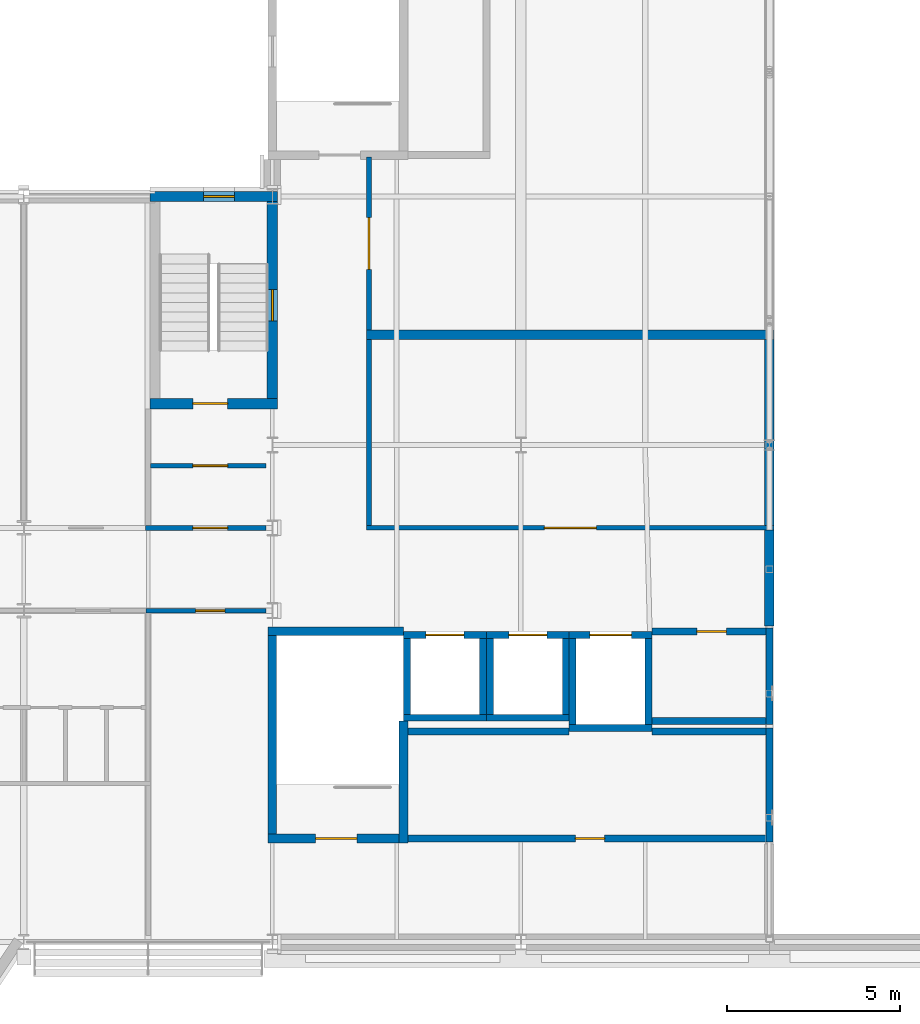
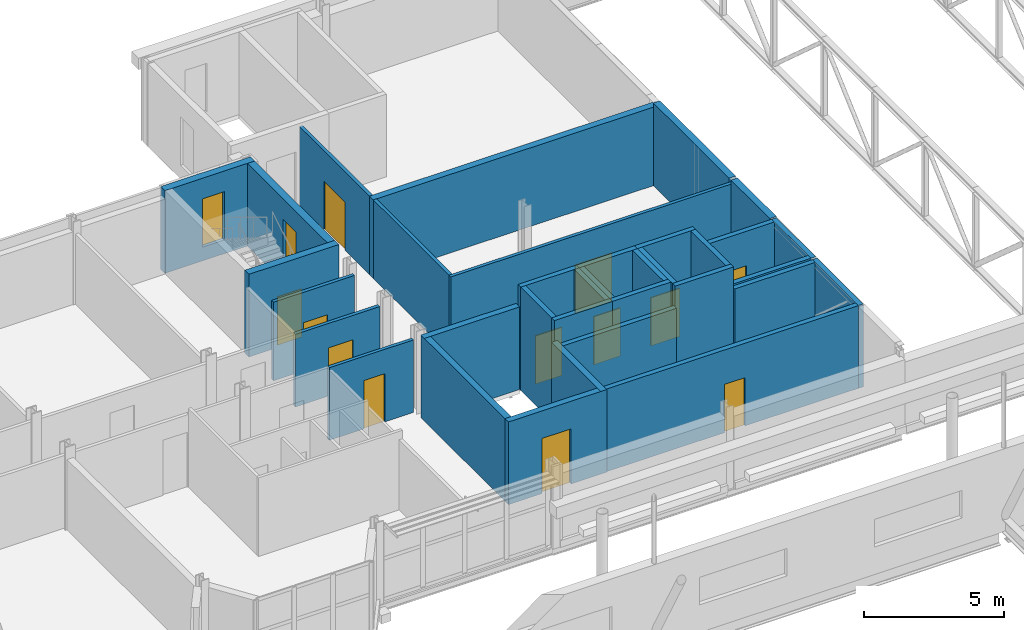
# One storey, part 103 of 142: 35 walls, 12 doors, 2 windows, 14 openings.
"""IFC4 building model written with IfcOpenShell, lengths in metres."""

import ifcopenshell
import ifcopenshell.guid

model = None  # the IFC model being written
_history = None  # IfcOwnerHistory: only IFC2X3 demands one
_inside = {}  # id of a spatial element -> (the spatial element, [elements in it])
_under = {}  # id of a project, library or spatial element -> (it, [spatial elements below it])
_declared = {}  # id of a project -> (the project, [libraries it declares])
_typed = {}  # id of a type object -> (the type object, [elements of that type])
_made_of = {}  # id of a material, layer set ... -> (it, [elements and type objects made of it])


def new_model(schema):
    """Start an empty IFC model of exactly this schema.

    Asked for "IFC4X3", IfcOpenShell would pick the latest addendum, in which some entities
    have other attributes; the version numbers below select the first issue.
    IFC2X3 requires an IfcOwnerHistory on every rooted entity: one is made here for all.
    """
    global model, _history
    if schema == "IFC4X3":
        model = ifcopenshell.file(schema_version=(4, 3, 0, 0))
    else:
        model = ifcopenshell.file(schema=schema)
    _inside.clear()
    _under.clear()
    _declared.clear()
    _typed.clear()
    _made_of.clear()
    _history = None
    if model.schema == "IFC2X3":
        org = make("IfcOrganization", Name="unknown")
        user = make(
            "IfcPersonAndOrganization",
            ThePerson=make("IfcPerson", FamilyName="unknown"),
            TheOrganization=org,
        )
        app = make(
            "IfcApplication",
            ApplicationDeveloper=org,
            Version="unknown",
            ApplicationFullName="unknown",
            ApplicationIdentifier="unknown",
        )
        _history = make(
            "IfcOwnerHistory",
            OwningUser=user,
            OwningApplication=app,
            ChangeAction="ADDED",
            CreationDate=0,
        )
    return model


def make(cls, **values):
    """One entity of the class cls with the attributes given. An attribute that is None is left unset."""
    return model.create_entity(
        cls, **{name: value for name, value in values.items() if value is not None}
    )


def rooted(cls, **values):
    """An entity with a GlobalId (a new one), such as an element, a storey or a relation."""
    return make(cls, GlobalId=ifcopenshell.guid.new(), OwnerHistory=_history, **values)


def si_unit(unit_type, name, prefix=None):
    """IfcSIUnit, for example si_unit("LENGTHUNIT", "METRE", prefix="MILLI")."""
    return make("IfcSIUnit", UnitType=unit_type, Prefix=prefix, Name=name)


def assignment(units):
    """IfcUnitAssignment: the units of a project."""
    return None if units is None else make("IfcUnitAssignment", Units=units)


def point(xyz):
    """IfcCartesianPoint."""
    return None if xyz is None else make("IfcCartesianPoint", Coordinates=xyz)


def direction(xyz):
    """IfcDirection."""
    return None if xyz is None else make("IfcDirection", DirectionRatios=xyz)


def frame(location, z_axis=None, x_axis=None):
    """IfcAxis2Placement3D, a coordinate frame: its origin and axes. An axis left out is left unset."""
    return make(
        "IfcAxis2Placement3D",
        Location=point(location),
        Axis=direction(z_axis),
        RefDirection=direction(x_axis),
    )


def frame_2d(location, x_axis=None):
    """IfcAxis2Placement2D, a coordinate frame in the plane: its origin and x axis."""
    return make(
        "IfcAxis2Placement2D", Location=point(location), RefDirection=direction(x_axis)
    )


def origin():
    """The frame at (0, 0, 0) with its axes left unset."""
    return frame((0.0, 0.0, 0.0))


def place(relative_to, where):
    """IfcLocalPlacement: puts the frame where relative to a parent placement (None: the world)."""
    return make(
        "IfcLocalPlacement", PlacementRelTo=relative_to, RelativePlacement=where
    )


def context(
    kind, dimensions, precision=None, world=None, true_north=None, identifier=None
):
    """IfcGeometricRepresentationContext, for example the 3D "Model" context."""
    return make(
        "IfcGeometricRepresentationContext",
        ContextIdentifier=identifier,
        ContextType=kind,
        CoordinateSpaceDimension=dimensions,
        Precision=precision,
        WorldCoordinateSystem=world,
        TrueNorth=true_north,
    )


def subcontext(parent, identifier, kind, view, scale=None):
    """IfcGeometricRepresentationSubContext, for example "Body" below "Model"."""
    return make(
        "IfcGeometricRepresentationSubContext",
        ContextIdentifier=identifier,
        ContextType=kind,
        ParentContext=parent,
        TargetScale=scale,
        TargetView=view,
    )


def project(units=None, contexts=None):
    """IfcProject with its units and contexts."""
    return rooted(
        "IfcProject",
        Name="project",
        RepresentationContexts=contexts,
        UnitsInContext=assignment(units),
    )


def spatial(cls, under=None, at=None, **own):
    """A site, building, storey or space (cls), placed at a placement, below another one or the project."""
    s = rooted(cls, ObjectPlacement=at, **own)
    if under is not None:
        _under.setdefault(under.id(), (under, []))[1].append(s)
    return s


def profile(cls, at=None, kind="AREA", **sizes):
    """A parametric profile (cls). Its sizes go by their IFC names, for example OverallWidth=200.0."""
    return make(cls, ProfileType=kind, Position=at, **sizes)


def rectangle(**sizes):
    """IfcRectangleProfileDef."""
    return profile("IfcRectangleProfileDef", **sizes)


def extrude(swept, where, along, depth):
    """IfcExtrudedAreaSolid: the profile swept, set in the frame where, extruded along a direction by depth."""
    return make(
        "IfcExtrudedAreaSolid",
        SweptArea=swept,
        Position=where,
        ExtrudedDirection=direction(along),
        Depth=depth,
    )


def shape(context_of_items, identifier, shape_type, items):
    """IfcShapeRepresentation: the items that make up one representation, for example the "Body"."""
    return make(
        "IfcShapeRepresentation",
        ContextOfItems=context_of_items,
        RepresentationIdentifier=identifier,
        RepresentationType=shape_type,
        Items=items,
    )


def material(Name=None, Category=None):
    """IfcMaterial."""
    return make("IfcMaterial", Name=Name, Category=Category)


def layer(
    of_material, thickness, ventilated=None, Name=None, Category=None, Priority=None
):
    """IfcMaterialLayer: one layer of a wall or slab, of a material (None: an air gap)."""
    return make(
        "IfcMaterialLayer",
        Material=of_material,
        LayerThickness=thickness,
        IsVentilated=ventilated,
        Name=Name,
        Category=Category,
        Priority=Priority,
    )


def layer_set(layers, Name=None):
    """IfcMaterialLayerSet."""
    return make("IfcMaterialLayerSet", MaterialLayers=layers, LayerSetName=Name)


def made_of(thing, what):
    """Note that an element or type object is made of a material, layer set ...; save() writes the relation."""
    if what is not None:
        _made_of.setdefault(what.id(), (what, []))[1].append(thing)
    return thing


def type_object(cls, material=None, **own):
    """A type object (cls), such as IfcWallType, which elements share."""
    return made_of(rooted(cls, **own), material)


def element(
    cls,
    number,
    at=None,
    inside=None,
    cuts=None,
    type_object=None,
    material=None,
    context=None,
    identifier="Body",
    shape_type=None,
    held_by="IfcProductDefinitionShape",
    body=None,
    shapes=None,
    **own,
):
    """One element of the class cls, such as IfcWall. Its Tag is "e" and its number.

    at: its placement. inside: the storey or other place that contains it. cuts: it is an
    opening in that element (IfcRelVoidsElement). A single representation is given by context,
    identifier, shape_type and body (its items); several are given by shapes. held_by: the class
    of the entity that holds the representations. save() writes the other relations.
    """
    e = rooted(cls, Tag="e%d" % number, ObjectPlacement=at, **own)
    if body is not None:
        shapes = [shape(context, identifier, shape_type, body)]
    if shapes is not None:
        e.Representation = make(held_by, Representations=shapes)
    if inside is not None:
        _inside.setdefault(inside.id(), (inside, []))[1].append(e)
    if cuts is not None:
        rooted(
            "IfcRelVoidsElement", RelatingBuildingElement=cuts, RelatedOpeningElement=e
        )
    if type_object is not None:
        _typed.setdefault(type_object.id(), (type_object, []))[1].append(e)
    return made_of(e, material)


def fill(opening, filler):
    """IfcRelFillsElement: the door or window that sits in an opening."""
    return rooted(
        "IfcRelFillsElement",
        RelatingOpeningElement=opening,
        RelatedBuildingElement=filler,
    )


def aggregate(whole, parts):
    """IfcRelAggregates: a whole, such as a stair, and the parts it consists of."""
    return rooted("IfcRelAggregates", RelatingObject=whole, RelatedObjects=parts)


def save(model, path):
    """Write the relations noted so far, then the file.

    IfcRelAggregates (storeys below a building ...), IfcRelContainedInSpatialStructure (elements
    in a storey), IfcRelDefinesByType, IfcRelAssociatesMaterial and IfcRelDeclares: one each for
    every whole, place, type object, material and project.
    """
    for whole, parts in _under.values():
        aggregate(whole, parts)
    for where, things in _inside.values():
        rooted(
            "IfcRelContainedInSpatialStructure",
            RelatedElements=things,
            RelatingStructure=where,
        )
    for kind, things in _typed.values():
        rooted("IfcRelDefinesByType", RelatedObjects=things, RelatingType=kind)
    for what, things in _made_of.values():
        rooted("IfcRelAssociatesMaterial", RelatedObjects=things, RelatingMaterial=what)
    for by, libraries in _declared.values():
        rooted("IfcRelDeclares", RelatingContext=by, RelatedDefinitions=libraries)
    model.write(path)


model = new_model("IFC4")

# Units and contexts
model_context = context("Model", 3, precision=1e-05, world=origin(), true_north=direction((0.0, 1.0)))
body_context = subcontext(model_context, "Body", "Model", "MODEL_VIEW")
ifc_project = project(units=[si_unit("LENGTHUNIT", "METRE"), si_unit("AREAUNIT", "SQUARE_METRE"), si_unit("VOLUMEUNIT", "CUBIC_METRE"), si_unit("PLANEANGLEUNIT", "RADIAN"), si_unit("MASSUNIT", "GRAM", prefix="KILO")], contexts=[model_context])

# Site, building, storey
site_placement = place(None, origin())
site = spatial("IfcSite", under=ifc_project, at=site_placement, CompositionType="ELEMENT")
building_placement = place(site_placement, origin())
building = spatial("IfcBuilding", under=site, at=building_placement, Name="Kupolbacken Congress Centre", CompositionType="ELEMENT")
storey_placement = place(building_placement, frame((0.0, 0.0, 14.39990234375)))
storey = spatial("IfcBuildingStorey", under=building, at=storey_placement, Name="L04", CompositionType="ELEMENT", Elevation=14.39990234375)

# Wall, opening, door
ifc_material_1 = material(Name="Gypsum board", Category="drywall")
ifc_layer_1 = layer(ifc_material_1, 0.135009765625)
ifc_layer_set_1 = layer_set([ifc_layer_1], Name="Gypsum board")
wall_type_1 = type_object("IfcWallType", Name="P06 compartment wall 135", PredefinedType="PARTITIONING", material=ifc_layer_set_1)
wall_1_placement = place(storey_placement, frame((139.532470703125, 134.39990234375, 0.0), z_axis=(0.0, 0.0, 1.0), x_axis=(1.0, 0.0, 0.0)))
wall_1 = element("IfcWall", 1, at=wall_1_placement, inside=storey, type_object=wall_type_1, Name="PD/L04/W100", PredefinedType="PARTITIONING", context=body_context, shape_type="SweptSolid", body=[
    extrude(rectangle(XDim=11.804931640625, YDim=0.135009765625, at=frame_2d((5.90234375, 0.0))), origin(), (0.0, 0.0, 1.0), 3.420166015625),
])
opening_1_placement = place(wall_1_placement, frame((5.14990234375, 0.0, 0.0)))
opening_1 = element("IfcOpeningElement", 2, at=opening_1_placement, cuts=wall_1, Name="Opening 4.G05", PredefinedType="OPENING", context=body_context, shape_type="SweptSolid", body=[
    extrude(rectangle(XDim=1.5, YDim=2.10009765625, at=frame_2d((0.75, 1.050048828125))), frame((0.0, 0.077392578125, 0.0), z_axis=(0.0, -1.0, 0.0), x_axis=(1.0, 0.0, 0.0)), (0.0, 0.0, 1.0), 0.155029296875),
])
ifc_material_2 = material(Name="Steel fire door leaf", Category="steel")
door_type_1 = type_object("IfcDoorType", Name="D12 fire door 1500x2100", OperationType="DOUBLE_DOOR_SINGLE_SWING", PredefinedType="DOOR", material=ifc_material_2)
door_1_placement = place(opening_1_placement, frame((1.5, 0.0, 0.0), z_axis=(0.0, 0.0, 1.0), x_axis=(-1.0, 0.0, 0.0)))
door_1 = element("IfcDoor", 3, at=door_1_placement, inside=storey, type_object=door_type_1, Name="PD/L04/W100/D4G05", OperationType="DOUBLE_DOOR_SINGLE_SWING", OverallHeight=2.10009765625, OverallWidth=1.5, PredefinedType="DOOR", context=body_context, shape_type="SweptSolid", body=[
    extrude(rectangle(XDim=1.5, YDim=2.10009765625, at=frame_2d((0.75, 1.050048828125))), frame((0.0, 0.02490234375, 0.0), z_axis=(0.0, -1.0, 0.0), x_axis=(1.0, 0.0, 0.0)), (0.0, 0.0, 1.0), 0.050048828125),
])
fill(opening_1, door_1)

# Wall
wall_2_placement = place(storey_placement, frame((139.60009765625, 139.862548828125, 0.0), z_axis=(0.0, 0.0, 1.0), x_axis=(0.0, -1.0, 0.0)))
element("IfcWall", 4, at=wall_2_placement, inside=storey, type_object=wall_type_1, Name="PD/L04/W102", PredefinedType="PARTITIONING", context=body_context, shape_type="SweptSolid", body=[
    extrude(rectangle(XDim=5.39501953125, YDim=0.135009765625, at=frame_2d((2.697509765625, 0.0))), origin(), (0.0, 0.0, 1.0), 3.420166015625),
])

# Wall, opening, door
wall_3_placement = place(storey_placement, frame((139.60009765625, 145.139892578125, 0.0), z_axis=(0.0, 0.0, 1.0), x_axis=(0.0, -1.0, 0.0)))
wall_3 = element("IfcWall", 5, at=wall_3_placement, inside=storey, type_object=wall_type_1, Name="PD/L04/W103", PredefinedType="PARTITIONING", context=body_context, shape_type="SweptSolid", body=[
    extrude(rectangle(XDim=5.00244140625, YDim=0.135009765625, at=frame_2d((2.501220703125, 0.0))), origin(), (0.0, 0.0, 1.0), 3.420166015625),
])
opening_2_placement = place(wall_3_placement, frame((1.75, 0.0, 0.0)))
opening_2 = element("IfcOpeningElement", 6, at=opening_2_placement, cuts=wall_3, Name="Opening 4.G06", PredefinedType="OPENING", context=body_context, shape_type="SweptSolid", body=[
    extrude(rectangle(XDim=1.5, YDim=2.10009765625, at=frame_2d((0.75, 1.050048828125))), frame((0.0, 0.077392578125, 0.0), z_axis=(0.0, -1.0, 0.0), x_axis=(1.0, 0.0, 0.0)), (0.0, 0.0, 1.0), 0.155029296875),
])
door_2_placement = place(opening_2_placement, frame((1.5, 0.0, 0.0), z_axis=(0.0, 0.0, 1.0), x_axis=(-1.0, 0.0, 0.0)))
door_2 = element("IfcDoor", 7, at=door_2_placement, inside=storey, type_object=door_type_1, Name="PD/L04/W103/D4G06", OperationType="DOUBLE_DOOR_SINGLE_SWING", OverallHeight=2.10009765625, OverallWidth=1.5, PredefinedType="DOOR", context=body_context, shape_type="SweptSolid", body=[
    extrude(rectangle(XDim=1.5, YDim=2.10009765625, at=frame_2d((0.75, 1.050048828125))), frame((0.0, 0.02490234375, 0.0), z_axis=(0.0, -1.0, 0.0), x_axis=(1.0, 0.0, 0.0)), (0.0, 0.0, 1.0), 0.050048828125),
])
fill(opening_2, door_2)

wall_4_placement = place(storey_placement, frame((133.142578125, 132.0, 0.0), z_axis=(0.0, 0.0, 1.0), x_axis=(1.0, 0.0, 0.0)))
wall_4 = element("IfcWall", 8, at=wall_4_placement, inside=storey, type_object=wall_type_1, Name="T/wall/L04/x/13200/13320", PredefinedType="PARTITIONING", context=body_context, shape_type="SweptSolid", body=[
    extrude(rectangle(XDim=3.467529296875, YDim=0.135009765625, at=frame_2d((1.73388671875, 0.0))), origin(), (0.0, 0.0, 1.0), 3.16015625),
])
opening_3_placement = place(wall_4_placement, frame((1.4326171875, 0.0, 0.0)))
opening_3 = element("IfcOpeningElement", 9, at=opening_3_placement, cuts=wall_4, Name="Opening D3", PredefinedType="OPENING", context=body_context, shape_type="SweptSolid", body=[
    extrude(rectangle(XDim=0.85009765625, YDim=2.10009765625, at=frame_2d((0.425048828125, 1.050048828125))), frame((0.0, 0.077392578125, 0.0), z_axis=(0.0, -1.0, 0.0), x_axis=(1.0, 0.0, 0.0)), (0.0, 0.0, 1.0), 0.155029296875),
])
ifc_material_3 = material(Name="Steel fire door leaf", Category="steel")
door_type_2 = type_object("IfcDoorType", Name="D3 fire door 850x2100", OperationType="SINGLE_SWING_LEFT", PredefinedType="DOOR", material=ifc_material_3)
door_3_placement = place(opening_3_placement, frame((0.85009765625, 0.0, 0.0), z_axis=(0.0, 0.0, 1.0), x_axis=(-1.0, 0.0, 0.0)))
door_3 = element("IfcDoor", 10, at=door_3_placement, inside=storey, type_object=door_type_2, Name="T/wall/L04/x/13200/13320/D-EE-D", OperationType="SINGLE_SWING_LEFT", OverallHeight=2.10009765625, OverallWidth=0.85009765625, PredefinedType="DOOR", context=body_context, shape_type="SweptSolid", body=[
    extrude(rectangle(XDim=0.85009765625, YDim=2.10009765625, at=frame_2d((0.425048828125, 1.050048828125))), frame((0.0, 0.02490234375, 0.0), z_axis=(0.0, -1.0, 0.0), x_axis=(1.0, 0.0, 0.0)), (0.0, 0.0, 1.0), 0.050048828125),
])
fill(opening_3, door_3)

# Walls
ifc_material_4 = material(Name="Gypsum board", Category="drywall")
ifc_layer_2 = layer(ifc_material_4, 0.27490234375)
ifc_layer_set_2 = layer_set([ifc_layer_2], Name="Gypsum board")
wall_type_2 = type_object("IfcWallType", Name="P12 partition 275", PredefinedType="PARTITIONING", material=ifc_layer_set_2)
wall_5_placement = place(storey_placement, frame((151.199951171875, 134.33251953125, 0.0), z_axis=(0.0, 0.0, 1.0), x_axis=(0.0, -1.0, 0.0)))
element("IfcWall", 11, at=wall_5_placement, inside=storey, type_object=wall_type_2, Name="PD/L04/W101", PredefinedType="PARTITIONING", context=body_context, shape_type="SweptSolid", body=[
    extrude(rectangle(XDim=2.7724609375, YDim=0.27490234375, at=frame_2d((1.38623046875, 0.0))), origin(), (0.0, 0.0, 1.0), 3.60009765625),
])
wall_6_placement = place(storey_placement, frame((139.532470703125, 140.0, 0.0), z_axis=(0.0, 0.0, 1.0), x_axis=(1.0, 0.0, 0.0)))
element("IfcWall", 12, at=wall_6_placement, inside=storey, type_object=wall_type_2, Name="PD/L04/W104", PredefinedType="PARTITIONING", context=body_context, shape_type="SweptSolid", body=[
    extrude(rectangle(XDim=11.804931640625, YDim=0.27490234375, at=frame_2d((5.90234375, 0.0))), origin(), (0.0, 0.0, 1.0), 3.420166015625),
])
wall_7_placement = place(storey_placement, frame((151.199951171875, 139.862548828125, 0.0), z_axis=(0.0, 0.0, 1.0), x_axis=(0.0, -1.0, 0.0)))
element("IfcWall", 13, at=wall_7_placement, inside=storey, type_object=wall_type_2, Name="PD/L04/W105", PredefinedType="PARTITIONING", context=body_context, shape_type="SweptSolid", body=[
    extrude(rectangle(XDim=5.39501953125, YDim=0.27490234375, at=frame_2d((2.697509765625, 0.0))), origin(), (0.0, 0.0, 1.0), 3.60009765625),
])

# Wall, opening, door
ifc_material_5 = material(Name="Aerated concrete block", Category="masonry")
ifc_layer_3 = layer(ifc_material_5, 0.139892578125)
ifc_layer_set_3 = layer_set([ifc_layer_3], Name="Aerated concrete block")
wall_type_3 = type_object("IfcWallType", Name="P14 compartment wall 140", PredefinedType="PARTITIONING", material=ifc_layer_set_3)
wall_8_placement = place(storey_placement, frame((133.1298828125, 134.39990234375, 0.0), z_axis=(0.0, 0.0, 1.0), x_axis=(1.0, 0.0, 0.0)))
wall_8 = element("IfcWall", 14, at=wall_8_placement, inside=storey, type_object=wall_type_3, Name="T/wall/L04/x/13440/13320", PredefinedType="PARTITIONING", context=body_context, shape_type="SweptSolid", body=[
    extrude(rectangle(XDim=3.480224609375, YDim=0.139892578125, at=frame_2d((1.740234375, 0.0))), origin(), (0.0, 0.0, 1.0), 3.16015625),
])
opening_4_placement = place(wall_8_placement, frame((1.3701171875, 0.0, 0.0)))
opening_4 = element("IfcOpeningElement", 15, at=opening_4_placement, cuts=wall_8, Name="Opening D5", PredefinedType="OPENING", context=body_context, shape_type="SweptSolid", body=[
    extrude(rectangle(XDim=1.0, YDim=2.10009765625, at=frame_2d((0.5, 1.050048828125))), frame((0.0, 0.079833984375, 0.0), z_axis=(0.0, -1.0, 0.0), x_axis=(1.0, 0.0, 0.0)), (0.0, 0.0, 1.0), 0.159912109375),
])
ifc_material_6 = material(Name="Steel fire door leaf", Category="steel")
door_type_3 = type_object("IfcDoorType", Name="D5 stair door 1000x2100", OperationType="SINGLE_SWING_LEFT", PredefinedType="DOOR", material=ifc_material_6)
door_4_placement = place(opening_4_placement, frame((1.0, 0.0, 0.0), z_axis=(0.0, 0.0, 1.0), x_axis=(-1.0, 0.0, 0.0)))
door_4 = element("IfcDoor", 16, at=door_4_placement, inside=storey, type_object=door_type_3, Name="T/wall/L04/x/13440/13320/D-TS4-LK3", OperationType="SINGLE_SWING_RIGHT", OverallHeight=2.10009765625, OverallWidth=1.0, PredefinedType="DOOR", context=body_context, shape_type="SweptSolid", body=[
    extrude(rectangle(XDim=1.0, YDim=2.10009765625, at=frame_2d((0.5, 1.050048828125))), frame((0.0, 0.02490234375, 0.0), z_axis=(0.0, -1.0, 0.0), x_axis=(1.0, 0.0, 0.0)), (0.0, 0.0, 1.0), 0.050048828125),
])
fill(opening_4, door_4)

wall_9_placement = place(storey_placement, frame((133.27001953125, 136.199951171875, 0.0), z_axis=(0.0, 0.0, 1.0), x_axis=(1.0, 0.0, 0.0)))
wall_9 = element("IfcWall", 17, at=wall_9_placement, inside=storey, type_object=wall_type_3, Name="T/wall/L04/x/13620/13320", PredefinedType="PARTITIONING", context=body_context, shape_type="SweptSolid", body=[
    extrude(rectangle(XDim=3.340087890625, YDim=0.139892578125, at=frame_2d((1.669921875, 0.0))), origin(), (0.0, 0.0, 1.0), 3.420166015625),
])
opening_5_placement = place(wall_9_placement, frame((1.22998046875, 0.0, 0.0)))
opening_5 = element("IfcOpeningElement", 18, at=opening_5_placement, cuts=wall_9, Name="Opening D5", PredefinedType="OPENING", context=body_context, shape_type="SweptSolid", body=[
    extrude(rectangle(XDim=1.0, YDim=2.10009765625, at=frame_2d((0.5, 1.050048828125))), frame((0.0, 0.079833984375, 0.0), z_axis=(0.0, -1.0, 0.0), x_axis=(1.0, 0.0, 0.0)), (0.0, 0.0, 1.0), 0.159912109375),
])
door_5_placement = place(opening_5_placement, frame((1.0, 0.0, 0.0), z_axis=(0.0, 0.0, 1.0), x_axis=(-1.0, 0.0, 0.0)))
door_5 = element("IfcDoor", 19, at=door_5_placement, inside=storey, type_object=door_type_3, Name="T/wall/L04/x/13620/13320/D-TS4-LK2", OperationType="SINGLE_SWING_LEFT", OverallHeight=2.10009765625, OverallWidth=1.0, PredefinedType="DOOR", context=body_context, shape_type="SweptSolid", body=[
    extrude(rectangle(XDim=1.0, YDim=2.10009765625, at=frame_2d((0.5, 1.050048828125))), frame((0.0, 0.02490234375, 0.0), z_axis=(0.0, -1.0, 0.0), x_axis=(1.0, 0.0, 0.0)), (0.0, 0.0, 1.0), 0.050048828125),
])
fill(opening_5, door_5)

ifc_material_7 = material(Name="Concrete C40/50", Category="concrete")
ifc_layer_4 = layer(ifc_material_7, 0.199951171875)
ifc_layer_set_4 = layer_set([ifc_layer_4], Name="Concrete C40/50")
wall_type_4 = type_object("IfcWallType", Name="WC1 RC shaft wall 200", PredefinedType="SHEAR", material=ifc_layer_set_4)
wall_10_placement = place(storey_placement, frame((140.72509765625, 125.39990234375, 0.0), z_axis=(0.0, 0.0, 1.0), x_axis=(1.0, 0.0, 0.0)))
wall_10 = element("IfcWall", 20, at=wall_10_placement, inside=storey, type_object=wall_type_4, Name="Shaft wall L04-083", PredefinedType="SHEAR", context=body_context, shape_type="SweptSolid", body=[
    extrude(rectangle(XDim=10.574951171875, YDim=0.199951171875, at=frame_2d((5.28759765625, 0.0))), origin(), (0.0, 0.0, 1.0), 3.60009765625),
])
opening_6_placement = place(wall_10_placement, frame((4.85009765625, 0.0, 0.0)))
opening_6 = element("IfcOpeningElement", 21, at=opening_6_placement, cuts=wall_10, Name="Opening 4.G03", PredefinedType="OPENING", context=body_context, shape_type="SweptSolid", body=[
    extrude(rectangle(XDim=0.85009765625, YDim=2.10009765625, at=frame_2d((0.425048828125, 1.050048828125))), frame((0.0, 0.10986328125, 0.0), z_axis=(0.0, -1.0, 0.0), x_axis=(1.0, 0.0, 0.0)), (0.0, 0.0, 1.0), 0.219970703125),
])
door_6_placement = place(opening_6_placement, origin())
door_6 = element("IfcDoor", 22, at=door_6_placement, inside=storey, type_object=door_type_2, Name="S/core/L04/083/D4G03", OperationType="SINGLE_SWING_LEFT", OverallHeight=2.10009765625, OverallWidth=0.85009765625, PredefinedType="DOOR", context=body_context, shape_type="SweptSolid", body=[
    extrude(rectangle(XDim=0.85009765625, YDim=2.10009765625, at=frame_2d((0.425048828125, 1.050048828125))), frame((0.0, 0.02490234375, 0.0), z_axis=(0.0, -1.0, 0.0), x_axis=(1.0, 0.0, 0.0)), (0.0, 0.0, 1.0), 0.050048828125),
])
fill(opening_6, door_6)

# Walls
wall_11_placement = place(storey_placement, frame((151.199951171875, 125.300048828125, 0.0), z_axis=(0.0, 0.0, 1.0), x_axis=(0.0, 1.0, 0.0)))
element("IfcWall", 23, at=wall_11_placement, inside=storey, type_object=wall_type_4, Name="Shaft wall L04-085", PredefinedType="SHEAR", context=body_context, shape_type="SweptSolid", body=[
    extrude(rectangle(XDim=3.300048828125, YDim=0.199951171875, at=frame_2d((1.64990234375, 0.0))), origin(), (0.0, 0.0, 1.0), 3.60009765625),
])
wall_12_placement = place(storey_placement, frame((140.60009765625, 128.5, 0.0), z_axis=(0.0, 0.0, 1.0), x_axis=(1.0, 0.0, 0.0)))
element("IfcWall", 24, at=wall_12_placement, inside=storey, type_object=wall_type_4, Name="Shaft wall L04-095", PredefinedType="SHEAR", context=body_context, shape_type="SweptSolid", body=[
    extrude(rectangle(XDim=4.7998046875, YDim=0.199951171875, at=frame_2d((2.39990234375, 0.0))), origin(), (0.0, 0.0, 1.0), 3.60009765625),
])
for number, where, z_axis, x_axis, name in (
    (25, (147.800048828125, 128.5, 0.0), (0.0, 0.0, 1.0), (1.0, 0.0, 0.0), "Shaft wall L04-097"),
    (26, (147.800048828125, 128.800048828125, 0.0), (0.0, 0.0, 1.0), (1.0, 0.0, 0.0), "Shaft wall L04-098"),
):
    element("IfcWall", number, at=place(storey_placement, frame(where, z_axis=z_axis, x_axis=x_axis)), inside=storey, type_object=wall_type_4, Name=name, PredefinedType="SHEAR", context=body_context, shape_type="SweptSolid", body=[
        extrude(rectangle(XDim=3.5, YDim=0.199951171875, at=frame_2d((1.75, 0.0))), origin(), (0.0, 0.0, 1.0), 3.60009765625),
    ])
wall_13_placement = place(storey_placement, frame((151.199951171875, 128.699951171875, 0.0), z_axis=(0.0, 0.0, 1.0), x_axis=(0.0, 1.0, 0.0)))
element("IfcWall", 27, at=wall_13_placement, inside=storey, type_object=wall_type_4, Name="Shaft wall L04-099", PredefinedType="SHEAR", context=body_context, shape_type="SweptSolid", body=[
    extrude(rectangle(XDim=2.800048828125, YDim=0.199951171875, at=frame_2d((1.39990234375, 0.0))), origin(), (0.0, 0.0, 1.0), 3.60009765625),
])

# Wall, opening, door
wall_14_placement = place(storey_placement, frame((151.300048828125, 131.39990234375, 0.0), z_axis=(0.0, 0.0, 1.0), x_axis=(-1.0, 0.0, 0.0)))
wall_14 = element("IfcWall", 28, at=wall_14_placement, inside=storey, type_object=wall_type_4, Name="Shaft wall L04-103", PredefinedType="SHEAR", context=body_context, shape_type="SweptSolid", body=[
    extrude(rectangle(XDim=3.5, YDim=0.199951171875, at=frame_2d((1.75, 0.0))), origin(), (0.0, 0.0, 1.0), 3.60009765625),
])
opening_7_placement = place(wall_14_placement, frame((1.35009765625, 0.0, 0.0)))
opening_7 = element("IfcOpeningElement", 29, at=opening_7_placement, cuts=wall_14, Name="Opening 4.G02", PredefinedType="OPENING", context=body_context, shape_type="SweptSolid", body=[
    extrude(rectangle(XDim=0.85009765625, YDim=2.10009765625, at=frame_2d((0.425048828125, 1.050048828125))), frame((0.0, 0.10986328125, 0.0), z_axis=(0.0, -1.0, 0.0), x_axis=(1.0, 0.0, 0.0)), (0.0, 0.0, 1.0), 0.219970703125),
])
door_7_placement = place(opening_7_placement, origin())
door_7 = element("IfcDoor", 30, at=door_7_placement, inside=storey, type_object=door_type_2, Name="S/core/L04/103/D4G02", OperationType="SINGLE_SWING_RIGHT", OverallHeight=2.10009765625, OverallWidth=0.85009765625, PredefinedType="DOOR", context=body_context, shape_type="SweptSolid", body=[
    extrude(rectangle(XDim=0.85009765625, YDim=2.10009765625, at=frame_2d((0.425048828125, 1.050048828125))), frame((0.0, 0.02490234375, 0.0), z_axis=(0.0, -1.0, 0.0), x_axis=(1.0, 0.0, 0.0)), (0.0, 0.0, 1.0), 0.050048828125),
])
fill(opening_7, door_7)

# Wall
wall_15_placement = place(storey_placement, frame((140.60009765625, 128.89990234375, 0.0), z_axis=(0.0, 0.0, 1.0), x_axis=(1.0, 0.0, 0.0)))
element("IfcWall", 31, at=wall_15_placement, inside=storey, type_object=wall_type_4, Name="Shaft wall LP15", PredefinedType="SHEAR", context=body_context, shape_type="SweptSolid", body=[
    extrude(rectangle(XDim=2.39990234375, YDim=0.199951171875, at=frame_2d((1.199951171875, 0.0))), origin(), (0.0, 0.0, 1.0), 4.5),
])

# Wall, opening, door
wall_16_placement = place(storey_placement, frame((140.60009765625, 131.300048828125, 0.0), z_axis=(0.0, 0.0, 1.0), x_axis=(1.0, 0.0, 0.0)))
wall_16 = element("IfcWall", 32, at=wall_16_placement, inside=storey, type_object=wall_type_4, Name="Shaft wall LP15", PredefinedType="SHEAR", context=body_context, shape_type="SweptSolid", body=[
    extrude(rectangle(XDim=2.39990234375, YDim=0.199951171875, at=frame_2d((1.199951171875, 0.0))), origin(), (0.0, 0.0, 1.0), 4.5),
])
opening_8_placement = place(wall_16_placement, frame((0.64990234375, 0.0, 0.0)))
opening_8 = element("IfcOpeningElement", 33, at=opening_8_placement, cuts=wall_16, Name="Opening LD2", PredefinedType="OPENING", context=body_context, shape_type="SweptSolid", body=[
    extrude(rectangle(XDim=1.10009765625, YDim=2.10009765625, at=frame_2d((0.550048828125, 1.050048828125))), frame((0.0, 0.10986328125, 0.0), z_axis=(0.0, -1.0, 0.0), x_axis=(1.0, 0.0, 0.0)), (0.0, 0.0, 1.0), 0.219970703125),
])
ifc_material_8 = material(Name="Stainless steel door leaf", Category="steel")
door_type_4 = type_object("IfcDoorType", Name="LD2 lift landing door 1100x2100", OperationType="SLIDING_TO_LEFT", PredefinedType="DOOR", material=ifc_material_8)
door_8_placement = place(opening_8_placement, origin())
door_8 = element("IfcDoor", 34, at=door_8_placement, inside=storey, type_object=door_type_4, Name="Lift landing door LP15", OperationType="SLIDING_TO_LEFT", OverallHeight=2.10009765625, OverallWidth=1.10009765625, PredefinedType="DOOR", context=body_context, shape_type="SweptSolid", body=[
    extrude(rectangle(XDim=1.10009765625, YDim=2.10009765625, at=frame_2d((0.550048828125, 1.050048828125))), frame((0.0, 0.02490234375, 0.0), z_axis=(0.0, -1.0, 0.0), x_axis=(1.0, 0.0, 0.0)), (0.0, 0.0, 1.0), 0.050048828125),
])
fill(opening_8, door_8)

# Walls
for number, where, z_axis, x_axis, name in (
    (35, (140.699951171875, 129.0, 0.0), (0.0, 0.0, 1.0), (0.0, 1.0, 0.0), "Shaft wall LP15"),
    (36, (142.89990234375, 129.0, 0.0), (0.0, 0.0, 1.0), (0.0, 1.0, 0.0), "Shaft wall LP15"),
):
    element("IfcWall", number, at=place(storey_placement, frame(where, z_axis=z_axis, x_axis=x_axis)), inside=storey, type_object=wall_type_4, Name=name, PredefinedType="SHEAR", context=body_context, shape_type="SweptSolid", body=[
        extrude(rectangle(XDim=2.199951171875, YDim=0.199951171875, at=frame_2d((1.10009765625, 0.0))), origin(), (0.0, 0.0, 1.0), 4.5),
    ])
wall_17_placement = place(storey_placement, frame((143.0, 128.89990234375, 0.0), z_axis=(0.0, 0.0, 1.0), x_axis=(1.0, 0.0, 0.0)))
element("IfcWall", 37, at=wall_17_placement, inside=storey, type_object=wall_type_4, Name="Shaft wall LP16", PredefinedType="SHEAR", context=body_context, shape_type="SweptSolid", body=[
    extrude(rectangle(XDim=2.39990234375, YDim=0.199951171875, at=frame_2d((1.199951171875, 0.0))), origin(), (0.0, 0.0, 1.0), 4.5),
])

# Wall, opening, door
wall_18_placement = place(storey_placement, frame((143.0, 131.300048828125, 0.0), z_axis=(0.0, 0.0, 1.0), x_axis=(1.0, 0.0, 0.0)))
wall_18 = element("IfcWall", 38, at=wall_18_placement, inside=storey, type_object=wall_type_4, Name="Shaft wall LP16", PredefinedType="SHEAR", context=body_context, shape_type="SweptSolid", body=[
    extrude(rectangle(XDim=2.39990234375, YDim=0.199951171875, at=frame_2d((1.199951171875, 0.0))), origin(), (0.0, 0.0, 1.0), 4.5),
])
opening_9_placement = place(wall_18_placement, frame((0.64990234375, 0.0, 0.0)))
opening_9 = element("IfcOpeningElement", 39, at=opening_9_placement, cuts=wall_18, Name="Opening LD2", PredefinedType="OPENING", context=body_context, shape_type="SweptSolid", body=[
    extrude(rectangle(XDim=1.10009765625, YDim=2.10009765625, at=frame_2d((0.550048828125, 1.050048828125))), frame((0.0, 0.10986328125, 0.0), z_axis=(0.0, -1.0, 0.0), x_axis=(1.0, 0.0, 0.0)), (0.0, 0.0, 1.0), 0.219970703125),
])
door_9_placement = place(opening_9_placement, origin())
door_9 = element("IfcDoor", 40, at=door_9_placement, inside=storey, type_object=door_type_4, Name="Lift landing door LP16", OperationType="SLIDING_TO_LEFT", OverallHeight=2.10009765625, OverallWidth=1.10009765625, PredefinedType="DOOR", context=body_context, shape_type="SweptSolid", body=[
    extrude(rectangle(XDim=1.10009765625, YDim=2.10009765625, at=frame_2d((0.550048828125, 1.050048828125))), frame((0.0, 0.02490234375, 0.0), z_axis=(0.0, -1.0, 0.0), x_axis=(1.0, 0.0, 0.0)), (0.0, 0.0, 1.0), 0.050048828125),
])
fill(opening_9, door_9)

# Walls
for number, where, z_axis, x_axis, name in (
    (41, (143.10009765625, 129.0, 0.0), (0.0, 0.0, 1.0), (0.0, 1.0, 0.0), "Shaft wall LP16"),
    (42, (145.300048828125, 129.0, 0.0), (0.0, 0.0, 1.0), (0.0, 1.0, 0.0), "Shaft wall LP16"),
):
    element("IfcWall", number, at=place(storey_placement, frame(where, z_axis=z_axis, x_axis=x_axis)), inside=storey, type_object=wall_type_4, Name=name, PredefinedType="SHEAR", context=body_context, shape_type="SweptSolid", body=[
        extrude(rectangle(XDim=2.199951171875, YDim=0.199951171875, at=frame_2d((1.10009765625, 0.0))), origin(), (0.0, 0.0, 1.0), 4.5),
    ])
wall_19_placement = place(storey_placement, frame((145.39990234375, 128.60009765625, 0.0), z_axis=(0.0, 0.0, 1.0), x_axis=(1.0, 0.0, 0.0)))
element("IfcWall", 43, at=wall_19_placement, inside=storey, type_object=wall_type_4, Name="Shaft wall LV2", PredefinedType="SHEAR", context=body_context, shape_type="SweptSolid", body=[
    extrude(rectangle(XDim=2.400146484375, YDim=0.199951171875, at=frame_2d((1.2001953125, 0.0))), origin(), (0.0, 0.0, 1.0), 4.5),
])

# Wall, opening, door
wall_20_placement = place(storey_placement, frame((145.39990234375, 131.300048828125, 0.0), z_axis=(0.0, 0.0, 1.0), x_axis=(1.0, 0.0, 0.0)))
wall_20 = element("IfcWall", 44, at=wall_20_placement, inside=storey, type_object=wall_type_4, Name="Shaft wall LV2", PredefinedType="SHEAR", context=body_context, shape_type="SweptSolid", body=[
    extrude(rectangle(XDim=2.400146484375, YDim=0.199951171875, at=frame_2d((1.2001953125, 0.0))), origin(), (0.0, 0.0, 1.0), 4.5),
])
opening_10_placement = place(wall_20_placement, frame((0.60009765625, 0.0, 0.0)))
opening_10 = element("IfcOpeningElement", 45, at=opening_10_placement, cuts=wall_20, Name="Opening LD1", PredefinedType="OPENING", context=body_context, shape_type="SweptSolid", body=[
    extrude(rectangle(XDim=1.199951171875, YDim=2.10009765625, at=frame_2d((0.60009765625, 1.050048828125))), frame((0.0, 0.10986328125, 0.0), z_axis=(0.0, -1.0, 0.0), x_axis=(1.0, 0.0, 0.0)), (0.0, 0.0, 1.0), 0.219970703125),
])
ifc_material_9 = material(Name="Stainless steel door leaf", Category="steel")
door_type_5 = type_object("IfcDoorType", Name="LD1 lift landing door 1200x2100", OperationType="SLIDING_TO_LEFT", PredefinedType="DOOR", material=ifc_material_9)
door_10_placement = place(opening_10_placement, origin())
door_10 = element("IfcDoor", 46, at=door_10_placement, inside=storey, type_object=door_type_5, Name="Lift landing door LV2", OperationType="SLIDING_TO_LEFT", OverallHeight=2.10009765625, OverallWidth=1.199951171875, PredefinedType="DOOR", context=body_context, shape_type="SweptSolid", body=[
    extrude(rectangle(XDim=1.199951171875, YDim=2.10009765625, at=frame_2d((0.60009765625, 1.050048828125))), frame((0.0, 0.02490234375, 0.0), z_axis=(0.0, -1.0, 0.0), x_axis=(1.0, 0.0, 0.0)), (0.0, 0.0, 1.0), 0.050048828125),
])
fill(opening_10, door_10)

# Walls
for number, where, z_axis, x_axis, name in (
    (47, (145.5, 128.699951171875, 0.0), (0.0, 0.0, 1.0), (0.0, 1.0, 0.0), "Shaft wall LV2"),
    (48, (147.699951171875, 128.699951171875, 0.0), (0.0, 0.0, 1.0), (0.0, 1.0, 0.0), "Shaft wall LV2"),
):
    element("IfcWall", number, at=place(storey_placement, frame(where, z_axis=z_axis, x_axis=x_axis)), inside=storey, type_object=wall_type_4, Name=name, PredefinedType="SHEAR", context=body_context, shape_type="SweptSolid", body=[
        extrude(rectangle(XDim=2.5, YDim=0.199951171875, at=frame_2d((1.25, 0.0))), origin(), (0.0, 0.0, 1.0), 4.5),
    ])

# Wall, opening, door
ifc_material_10 = material(Name="Concrete C40/50", Category="concrete")
ifc_layer_5 = layer(ifc_material_10, 0.25)
ifc_layer_set_5 = layer_set([ifc_layer_5], Name="Concrete C40/50")
wall_type_5 = type_object("IfcWallType", Name="WC2 RC stair enclosure wall 250", PredefinedType="SHEAR", material=ifc_layer_set_5)
wall_21_placement = place(storey_placement, frame((136.675048828125, 125.39990234375, 0.0), z_axis=(0.0, 0.0, 1.0), x_axis=(1.0, 0.0, 0.0)))
wall_21 = element("IfcWall", 49, at=wall_21_placement, inside=storey, type_object=wall_type_5, Name="Stair enclosure wall L04-082", PredefinedType="SHEAR", context=body_context, shape_type="SweptSolid", body=[
    extrude(rectangle(XDim=4.050048828125, YDim=0.25, at=frame_2d((2.02490234375, 0.0))), origin(), (0.0, 0.0, 1.0), 3.60009765625),
])
opening_11_placement = place(wall_21_placement, frame((1.375, 0.0, 0.0)))
opening_11 = element("IfcOpeningElement", 50, at=opening_11_placement, cuts=wall_21, Name="Opening 4.G01", PredefinedType="OPENING", context=body_context, shape_type="SweptSolid", body=[
    extrude(rectangle(XDim=1.199951171875, YDim=2.39990234375, at=frame_2d((0.60009765625, 1.199951171875))), frame((0.0, 0.135009765625, 0.0), z_axis=(0.0, -1.0, 0.0), x_axis=(1.0, 0.0, 0.0)), (0.0, 0.0, 1.0), 0.27001953125),
])
ifc_material_11 = material(Name="Steel fire door leaf", Category="steel")
door_type_6 = type_object("IfcDoorType", Name="D9 fire door 1200x2400", OperationType="SINGLE_SWING_LEFT", PredefinedType="DOOR", material=ifc_material_11)
door_11_placement = place(opening_11_placement, origin())
door_11 = element("IfcDoor", 51, at=door_11_placement, inside=storey, type_object=door_type_6, Name="S/core/L04/082/D4G01", OperationType="SINGLE_SWING_RIGHT", OverallHeight=2.39990234375, OverallWidth=1.199951171875, PredefinedType="DOOR", context=body_context, shape_type="SweptSolid", body=[
    extrude(rectangle(XDim=1.199951171875, YDim=2.39990234375, at=frame_2d((0.60009765625, 1.199951171875))), frame((0.0, 0.02490234375, 0.0), z_axis=(0.0, -1.0, 0.0), x_axis=(1.0, 0.0, 0.0)), (0.0, 0.0, 1.0), 0.050048828125),
])
fill(opening_11, door_11)

# Walls
wall_22_placement = place(storey_placement, frame((140.60009765625, 125.27490234375, 0.0), z_axis=(0.0, 0.0, 1.0), x_axis=(0.0, 1.0, 0.0)))
element("IfcWall", 52, at=wall_22_placement, inside=storey, type_object=wall_type_5, Name="Stair enclosure wall L04-084", PredefinedType="SHEAR", context=body_context, shape_type="SweptSolid", body=[
    extrude(rectangle(XDim=3.525146484375, YDim=0.25, at=frame_2d((1.7626953125, 0.0))), origin(), (0.0, 0.0, 1.0), 3.60009765625),
])
wall_23_placement = place(storey_placement, frame((136.800048828125, 131.52490234375, 0.0), z_axis=(0.0, 0.0, 1.0), x_axis=(0.0, -1.0, 0.0)))
element("IfcWall", 53, at=wall_23_placement, inside=storey, type_object=wall_type_5, Name="Stair enclosure wall L04-101", PredefinedType="SHEAR", context=body_context, shape_type="SweptSolid", body=[
    extrude(rectangle(XDim=6.25, YDim=0.25, at=frame_2d((3.125, 0.0))), origin(), (0.0, 0.0, 1.0), 3.60009765625),
])
wall_24_placement = place(storey_placement, frame((140.60009765625, 131.39990234375, 0.0), z_axis=(0.0, 0.0, 1.0), x_axis=(-1.0, 0.0, 0.0)))
element("IfcWall", 54, at=wall_24_placement, inside=storey, type_object=wall_type_5, Name="Stair enclosure wall L04-102", PredefinedType="SHEAR", context=body_context, shape_type="SweptSolid", body=[
    extrude(rectangle(XDim=3.925048828125, YDim=0.25, at=frame_2d((1.96240234375, 0.0))), origin(), (0.0, 0.0, 1.0), 3.60009765625),
])

# Wall, opening, door
ifc_material_12 = material(Name="Concrete C40/50", Category="concrete")
ifc_layer_6 = layer(ifc_material_12, 0.300048828125)
ifc_layer_set_6 = layer_set([ifc_layer_6], Name="Concrete C40/50")
wall_type_6 = type_object("IfcWallType", Name="WC3 RC core wall 300", PredefinedType="SHEAR", material=ifc_layer_set_6)
wall_25_placement = place(storey_placement, frame((133.25, 138.0, 0.0), z_axis=(0.0, 0.0, 1.0), x_axis=(1.0, 0.0, 0.0)))
wall_25 = element("IfcWall", 55, at=wall_25_placement, inside=storey, type_object=wall_type_6, Name="Core wall L04-122", PredefinedType="SHEAR", context=body_context, shape_type="SweptSolid", body=[
    extrude(rectangle(XDim=3.699951171875, YDim=0.300048828125, at=frame_2d((1.85009765625, 0.0))), origin(), (0.0, 0.0, 1.0), 3.60009765625),
])
opening_12_placement = place(wall_25_placement, frame((1.25, 0.0, 0.0)))
opening_12 = element("IfcOpeningElement", 56, at=opening_12_placement, cuts=wall_25, Name="Opening D5", PredefinedType="OPENING", context=body_context, shape_type="SweptSolid", body=[
    extrude(rectangle(XDim=1.0, YDim=2.10009765625, at=frame_2d((0.5, 1.050048828125))), frame((0.0, 0.159912109375, 0.0), z_axis=(0.0, -1.0, 0.0), x_axis=(1.0, 0.0, 0.0)), (0.0, 0.0, 1.0), 0.320068359375),
])
door_12_placement = place(opening_12_placement, origin())
door_12 = element("IfcDoor", 57, at=door_12_placement, inside=storey, type_object=door_type_3, Name="S/core/L04/122/D-TS4-LK1", OperationType="SINGLE_SWING_RIGHT", OverallHeight=2.10009765625, OverallWidth=1.0, PredefinedType="DOOR", context=body_context, shape_type="SweptSolid", body=[
    extrude(rectangle(XDim=1.0, YDim=2.10009765625, at=frame_2d((0.5, 1.050048828125))), frame((0.0, 0.02490234375, 0.0), z_axis=(0.0, -1.0, 0.0), x_axis=(1.0, 0.0, 0.0)), (0.0, 0.0, 1.0), 0.050048828125),
])
fill(opening_12, door_12)

# Wall, opening, window
wall_26_placement = place(storey_placement, frame((136.800048828125, 137.85009765625, 0.0), z_axis=(0.0, 0.0, 1.0), x_axis=(0.0, 1.0, 0.0)))
wall_26 = element("IfcWall", 58, at=wall_26_placement, inside=storey, type_object=wall_type_6, Name="Core wall L04-123", PredefinedType="SHEAR", context=body_context, shape_type="SweptSolid", body=[
    extrude(rectangle(XDim=6.2998046875, YDim=0.300048828125, at=frame_2d((3.14990234375, 0.0))), origin(), (0.0, 0.0, 1.0), 3.60009765625),
])
opening_13_placement = place(wall_26_placement, frame((2.550048828125, 0.0, 0.60009765625)))
opening_13 = element("IfcOpeningElement", 59, at=opening_13_placement, cuts=wall_26, Name="Opening W28", PredefinedType="OPENING", context=body_context, shape_type="SweptSolid", body=[
    extrude(rectangle(XDim=0.89990234375, YDim=2.10009765625, at=frame_2d((0.449951171875, 1.050048828125))), frame((0.0, 0.159912109375, 0.0), z_axis=(0.0, -1.0, 0.0), x_axis=(1.0, 0.0, 0.0)), (0.0, 0.0, 1.0), 0.320068359375),
])
ifc_material_13 = material(Name="Aluminium frame with double or triple glazing", Category="aluminium")
window_type = type_object("IfcWindowType", Name="W28 window 900x2100", PartitioningType="SINGLE_PANEL", PredefinedType="WINDOW", material=ifc_material_13)
window_1_placement = place(opening_13_placement, origin())
window_1 = element("IfcWindow", 60, at=window_1_placement, inside=storey, type_object=window_type, Name="S/core/L04/123/WW28", OverallHeight=2.10009765625, OverallWidth=0.89990234375, PartitioningType="SINGLE_PANEL", PredefinedType="WINDOW", context=body_context, shape_type="SweptSolid", body=[
    extrude(rectangle(XDim=0.89990234375, YDim=2.10009765625, at=frame_2d((0.449951171875, 1.050048828125))), frame((0.0, 0.030029296875, 0.0), z_axis=(0.0, -1.0, 0.0), x_axis=(1.0, 0.0, 0.0)), (0.0, 0.0, 1.0), 0.06005859375),
])
fill(opening_13, window_1)

wall_27_placement = place(storey_placement, frame((136.949951171875, 144.0, 0.0), z_axis=(0.0, 0.0, 1.0), x_axis=(-1.0, 0.0, 0.0)))
wall_27 = element("IfcWall", 61, at=wall_27_placement, inside=storey, type_object=wall_type_6, Name="Core wall L04-131", PredefinedType="SHEAR", context=body_context, shape_type="SweptSolid", body=[
    extrude(rectangle(XDim=3.699951171875, YDim=0.300048828125, at=frame_2d((1.85009765625, 0.0))), origin(), (0.0, 0.0, 1.0), 3.60009765625),
])
opening_14_placement = place(wall_27_placement, frame((1.25, 0.0, 0.60009765625)))
opening_14 = element("IfcOpeningElement", 62, at=opening_14_placement, cuts=wall_27, Name="Opening W28", PredefinedType="OPENING", context=body_context, shape_type="SweptSolid", body=[
    extrude(rectangle(XDim=0.89990234375, YDim=2.10009765625, at=frame_2d((0.449951171875, 1.050048828125))), frame((0.0, 0.159912109375, 0.0), z_axis=(0.0, -1.0, 0.0), x_axis=(1.0, 0.0, 0.0)), (0.0, 0.0, 1.0), 0.320068359375),
])
window_2_placement = place(opening_14_placement, origin())
window_2 = element("IfcWindow", 63, at=window_2_placement, inside=storey, type_object=window_type, Name="S/core/L04/131/WW28", OverallHeight=2.10009765625, OverallWidth=0.89990234375, PartitioningType="SINGLE_PANEL", PredefinedType="WINDOW", context=body_context, shape_type="SweptSolid", body=[
    extrude(rectangle(XDim=0.89990234375, YDim=2.10009765625, at=frame_2d((0.449951171875, 1.050048828125))), frame((0.0, 0.030029296875, 0.0), z_axis=(0.0, -1.0, 0.0), x_axis=(1.0, 0.0, 0.0)), (0.0, 0.0, 1.0), 0.06005859375),
])
fill(opening_14, window_2)

save(model, "model.ifc")
